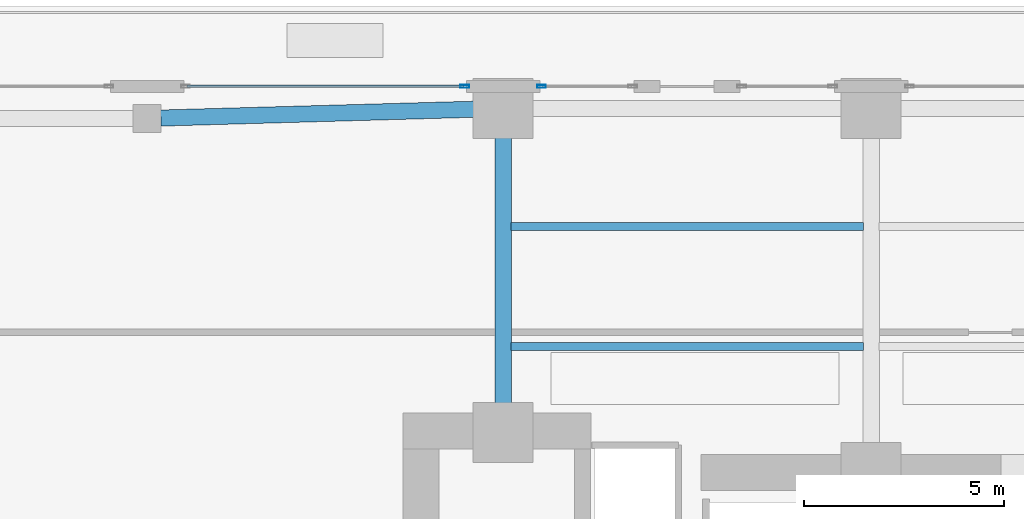
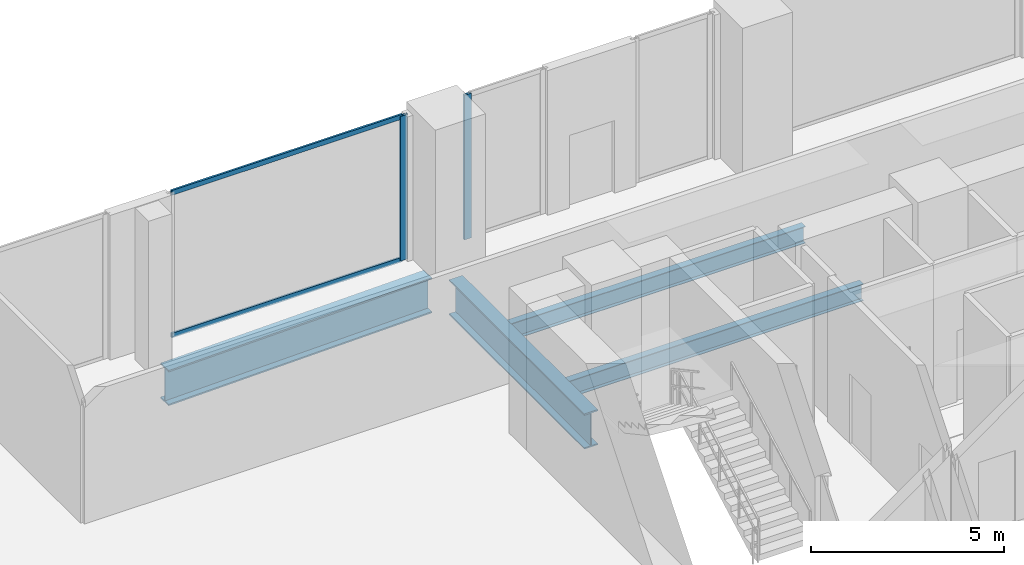
# One storey, part 13 of 28: 4 beams, 4 members, 2 elements without a shape of their own.
"""IFC4 building model written with IfcOpenShell, lengths in metres."""

from ifc_helpers import new_model, si_unit, direction, frame, origin, origin_2d, place, context, subcontext, project, spatial, hollow_rectangle, i_section, extrude, material, layer, layer_set, material_profile, profile_set, type_object, element, aggregate, save


model = new_model("IFC4")

# Units and contexts
model_context = context("Model", 3, precision=1e-05, world=origin(), true_north=direction((0.0, 1.0)))
body_context = subcontext(model_context, "Body", "Model", "MODEL_VIEW")
ifc_project = project(units=[si_unit("LENGTHUNIT", "METRE"), si_unit("AREAUNIT", "SQUARE_METRE"), si_unit("VOLUMEUNIT", "CUBIC_METRE"), si_unit("PLANEANGLEUNIT", "RADIAN"), si_unit("MASSUNIT", "GRAM", prefix="KILO")], contexts=[model_context])

# Site, building, storey
site_placement = place(None, origin())
site = spatial("IfcSite", under=ifc_project, at=site_placement, CompositionType="ELEMENT")
building_placement = place(site_placement, origin())
building = spatial("IfcBuilding", under=site, at=building_placement, Name="Zuhayl Quay Hotel", CompositionType="ELEMENT")
storey_placement = place(building_placement, frame((0.0, 0.0, 22.800048828125)))
storey = spatial("IfcBuildingStorey", under=building, at=storey_placement, Name="L04", CompositionType="ELEMENT", Elevation=22.800048828125)

# Beams
ifc_material_1 = material(Name="Steel ASTM A992 Grade 50", Category="steel")
ifc_material_profile_1 = material_profile(ifc_material_1, i_section(OverallWidth=0.208984375, OverallDepth=0.532958984375, WebThickness=0.01025390625, FlangeThickness=0.015625, at=origin_2d()), Name="W21X62")
ifc_profile_set_1 = profile_set([ifc_material_profile_1], Name="Steel ASTM A992 Grade 50")
beam_type_1 = type_object("IfcBeamType", Name="BM_J1_W21X62", PredefinedType="JOIST", material=ifc_profile_set_1)
for number, where, z_axis, x_axis, name in (
    (1, (-13.60595703125, 16.5, -0.526611328125), (1.0, 0.0, 0.0), (0.0, 1.0, 0.0), "L04 Floor Beam J_POD_L04_4_1"),
    (2, (-13.60595703125, 19.5, -0.526611328125), (1.0, 0.0, 0.0), (0.0, 1.0, 0.0), "L04 Floor Beam J_POD_L04_5_1"),
):
    element("IfcBeam", number, at=place(storey_placement, frame(where, z_axis=z_axis, x_axis=x_axis)), inside=storey, type_object=beam_type_1, Name=name, PredefinedType="JOIST", context=body_context, shape_type="SweptSolid", body=[
        extrude(i_section(OverallWidth=0.208984375, OverallDepth=0.532958984375, WebThickness=0.01025390625, FlangeThickness=0.015625, at=origin_2d()), origin(), (0.0, 0.0, 1.0), 8.81201171875),
    ])
ifc_material_2 = material(Name="Steel ASTM A913 Grade 65", Category="steel")
ifc_material_profile_2 = material_profile(ifc_material_2, i_section(OverallWidth=0.404052734375, OverallDepth=1.117919921875, WebThickness=0.026123046875, FlangeThickness=0.044921875, at=origin_2d()), Name="W44X335")
ifc_profile_set_2 = profile_set([ifc_material_profile_2], Name="Steel ASTM A913 Grade 65")
beam_type_2 = type_object("IfcBeamType", Name="BM_TG1_W44X335", PredefinedType="BEAM", material=ifc_profile_set_2)
beam_1_placement = place(storey_placement, frame((-22.360107421875, 22.20947265625, -0.819091796875), z_axis=(0.99960539529, 0.028090099801, 0.0), x_axis=(-0.028090099801, 0.99960539529, 0.0)))
element("IfcBeam", 3, at=beam_1_placement, inside=storey, type_object=beam_type_2, Name="L04 Floor Beam PG_N_L04_1", PredefinedType="BEAM", context=body_context, shape_type="SweptSolid", body=[
    extrude(i_section(OverallWidth=0.404052734375, OverallDepth=1.117919921875, WebThickness=0.026123046875, FlangeThickness=0.044921875, at=origin_2d()), origin(), (0.0, 0.0, 1.0), 8.013427734375),
])
beam_2_placement = place(storey_placement, frame((-13.800048828125, 14.919921875, -0.819091796875), z_axis=(0.0, 1.0, 0.0), x_axis=(-1.0, 0.0, 0.0)))
element("IfcBeam", 4, at=beam_2_placement, inside=storey, type_object=beam_type_2, Name="L04 Floor Beam PG_NS3_L04_1", PredefinedType="BEAM", context=body_context, shape_type="SweptSolid", body=[
    extrude(i_section(OverallWidth=0.404052734375, OverallDepth=1.117919921875, WebThickness=0.026123046875, FlangeThickness=0.044921875, at=origin_2d()), origin(), (0.0, 0.0, 1.0), 7.010009765625),
])

# Curtain wall, member
ifc_material_3 = material(Name="Anodised Aluminium 6063-T6", Category="aluminium")
ifc_layer = layer(ifc_material_3, 0.199951171875, Name="Anodised Aluminium 6063-T6", Category="aluminium")
ifc_layer_set = layer_set([ifc_layer], Name="Anodised Aluminium 6063-T6")
curtain_wall_type = type_object("IfcCurtainWallType", Name="CW_SYS_POD", PredefinedType="USERDEFINED", material=ifc_layer_set)
curtain_wall_1_placement = place(storey_placement, origin())
curtain_wall_1 = element("IfcCurtainWall", 5, at=curtain_wall_1_placement, inside=storey, type_object=curtain_wall_type, Name="L04 Curtain Wall ENV_L04_E05_CW2", ObjectType="UNITISED CURTAIN WALL", PredefinedType="USERDEFINED")
ifc_material_4 = material(Name="Black-anodised aluminium 6063-T6", Category="aluminium")
ifc_material_profile_3 = material_profile(ifc_material_4, hollow_rectangle(XDim=0.074951171875, YDim=0.219970703125, WallThickness=0.00390625, at=origin_2d()), Name="ALU220X75")
ifc_profile_set_3 = profile_set([ifc_material_profile_3], Name="Black-anodised aluminium 6063-T6")
member_type_1 = type_object("IfcMemberType", Name="MB_CW_MUL_220", PredefinedType="MULLION", material=ifc_profile_set_3)
member_1_placement = place(storey_placement, frame((-14.757568359375, 23.0, 0.0), z_axis=(0.0, 0.0, 1.0), x_axis=(0.0, 1.0, 0.0)))
member_1 = element("IfcMember", 6, at=member_1_placement, type_object=member_type_1, Name="CW-POD mullion 2", PredefinedType="MULLION", context=body_context, shape_type="SweptSolid", body=[
    extrude(hollow_rectangle(XDim=0.074951171875, YDim=0.219970703125, WallThickness=0.00390625, at=origin_2d()), origin(), (0.0, 0.0, 1.0), 4.579833984375),
])

curtain_wall_2_placement = place(storey_placement, origin())
curtain_wall_2 = element("IfcCurtainWall", 7, at=curtain_wall_2_placement, inside=storey, type_object=curtain_wall_type, Name="L04 Curtain Wall ENV_L04_E05_CW3", ObjectType="UNITISED CURTAIN WALL", PredefinedType="USERDEFINED")
member_2_placement = place(storey_placement, frame((-12.842529296875, 23.0, 0.0), z_axis=(0.0, 0.0, 1.0), x_axis=(0.0, 1.0, 0.0)))
member_2 = element("IfcMember", 8, at=member_2_placement, type_object=member_type_1, Name="CW-POD mullion 1", PredefinedType="MULLION", context=body_context, shape_type="SweptSolid", body=[
    extrude(hollow_rectangle(XDim=0.074951171875, YDim=0.219970703125, WallThickness=0.00390625, at=origin_2d()), origin(), (0.0, 0.0, 1.0), 4.579833984375),
])
aggregate(curtain_wall_2, [member_2])

# Member
ifc_material_profile_4 = material_profile(ifc_material_4, hollow_rectangle(XDim=0.06005859375, YDim=0.14990234375, WallThickness=0.00341796875, at=origin_2d()), Name="ALU150X60")
ifc_profile_set_4 = profile_set([ifc_material_profile_4], Name="Black-anodised aluminium 6063-T6")
member_type_2 = type_object("IfcMemberType", Name="MB_CW_TRN_150", PredefinedType="USERDEFINED", material=ifc_profile_set_4)
member_3_placement = place(storey_placement, frame((-21.705078125, 23.0, 0.030029296875), z_axis=(1.0, 0.0, 0.0), x_axis=(0.0, 1.0, 0.0)))
member_3 = element("IfcMember", 9, at=member_3_placement, type_object=member_type_2, Name="CW-POD transom 1.1", ObjectType="TRANSOM", PredefinedType="USERDEFINED", context=body_context, shape_type="SweptSolid", body=[
    extrude(hollow_rectangle(XDim=0.06005859375, YDim=0.14990234375, WallThickness=0.00341796875, at=origin_2d()), origin(), (0.0, 0.0, 1.0), 6.91015625),
])

member_4_placement = place(storey_placement, frame((-21.705078125, 23.0, 4.550048828125), z_axis=(1.0, 0.0, 0.0), x_axis=(0.0, 1.0, 0.0)))
member_4 = element("IfcMember", 10, at=member_4_placement, type_object=member_type_2, Name="CW-POD transom 1.2", ObjectType="TRANSOM", PredefinedType="USERDEFINED", context=body_context, shape_type="SweptSolid", body=[
    extrude(hollow_rectangle(XDim=0.06005859375, YDim=0.14990234375, WallThickness=0.00341796875, at=origin_2d()), origin(), (0.0, 0.0, 1.0), 6.91015625),
])

aggregate(curtain_wall_1, [member_1, member_3, member_4])

save(model, "model.ifc")
